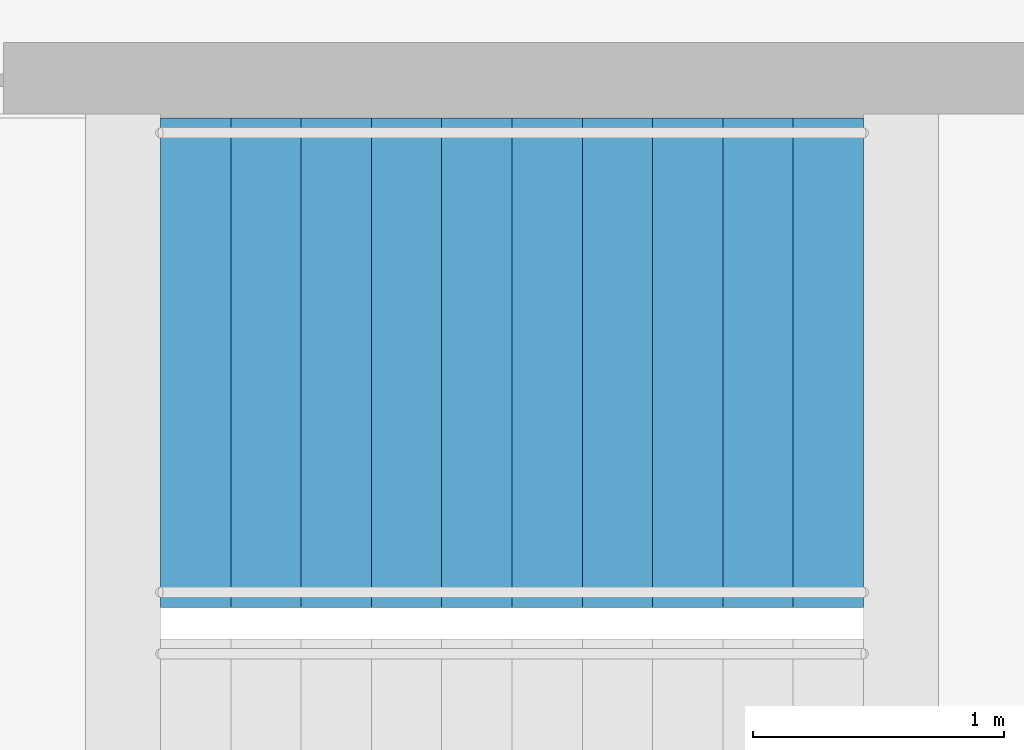
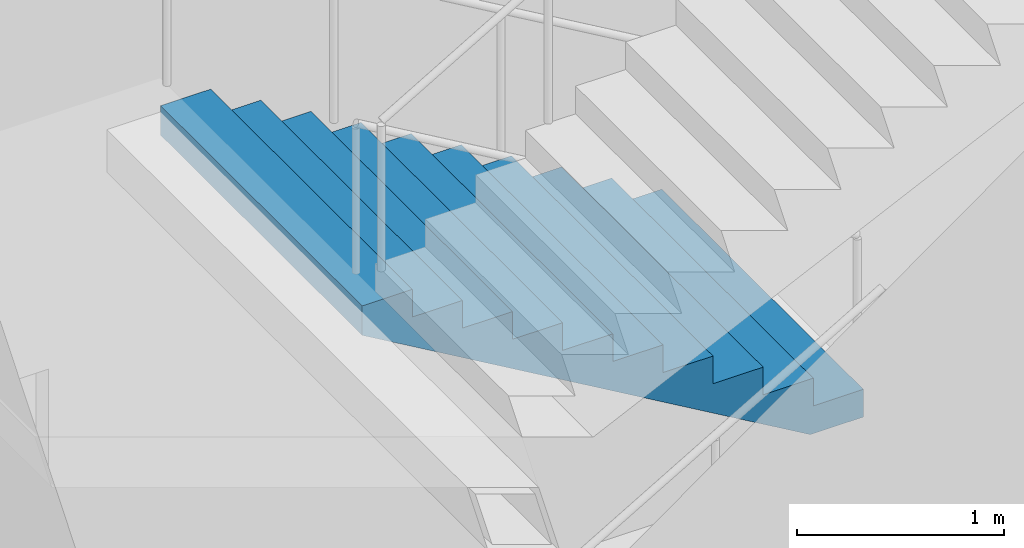
# One storey, part 16 of 22: 1 stair flight, 1 element without a shape of its own.
"""IFC4 building model written with IfcOpenShell, lengths in metres."""

import ifcopenshell
import ifcopenshell.guid

model = None  # the IFC model being written
_history = None  # IfcOwnerHistory: only IFC2X3 demands one
_inside = {}  # id of a spatial element -> (the spatial element, [elements in it])
_under = {}  # id of a project, library or spatial element -> (it, [spatial elements below it])
_declared = {}  # id of a project -> (the project, [libraries it declares])
_typed = {}  # id of a type object -> (the type object, [elements of that type])
_made_of = {}  # id of a material, layer set ... -> (it, [elements and type objects made of it])


def new_model(schema):
    """Start an empty IFC model of exactly this schema.

    Asked for "IFC4X3", IfcOpenShell would pick the latest addendum, in which some entities
    have other attributes; the version numbers below select the first issue.
    IFC2X3 requires an IfcOwnerHistory on every rooted entity: one is made here for all.
    """
    global model, _history
    if schema == "IFC4X3":
        model = ifcopenshell.file(schema_version=(4, 3, 0, 0))
    else:
        model = ifcopenshell.file(schema=schema)
    _inside.clear()
    _under.clear()
    _declared.clear()
    _typed.clear()
    _made_of.clear()
    _history = None
    if model.schema == "IFC2X3":
        org = make("IfcOrganization", Name="unknown")
        user = make(
            "IfcPersonAndOrganization",
            ThePerson=make("IfcPerson", FamilyName="unknown"),
            TheOrganization=org,
        )
        app = make(
            "IfcApplication",
            ApplicationDeveloper=org,
            Version="unknown",
            ApplicationFullName="unknown",
            ApplicationIdentifier="unknown",
        )
        _history = make(
            "IfcOwnerHistory",
            OwningUser=user,
            OwningApplication=app,
            ChangeAction="ADDED",
            CreationDate=0,
        )
    return model


def make(cls, **values):
    """One entity of the class cls with the attributes given. An attribute that is None is left unset."""
    return model.create_entity(
        cls, **{name: value for name, value in values.items() if value is not None}
    )


def rooted(cls, **values):
    """An entity with a GlobalId (a new one), such as an element, a storey or a relation."""
    return make(cls, GlobalId=ifcopenshell.guid.new(), OwnerHistory=_history, **values)


def si_unit(unit_type, name, prefix=None):
    """IfcSIUnit, for example si_unit("LENGTHUNIT", "METRE", prefix="MILLI")."""
    return make("IfcSIUnit", UnitType=unit_type, Prefix=prefix, Name=name)


def assignment(units):
    """IfcUnitAssignment: the units of a project."""
    return None if units is None else make("IfcUnitAssignment", Units=units)


def point(xyz):
    """IfcCartesianPoint."""
    return None if xyz is None else make("IfcCartesianPoint", Coordinates=xyz)


def direction(xyz):
    """IfcDirection."""
    return None if xyz is None else make("IfcDirection", DirectionRatios=xyz)


def frame(location, z_axis=None, x_axis=None):
    """IfcAxis2Placement3D, a coordinate frame: its origin and axes. An axis left out is left unset."""
    return make(
        "IfcAxis2Placement3D",
        Location=point(location),
        Axis=direction(z_axis),
        RefDirection=direction(x_axis),
    )


def origin():
    """The frame at (0, 0, 0) with its axes left unset."""
    return frame((0.0, 0.0, 0.0))


def place(relative_to, where):
    """IfcLocalPlacement: puts the frame where relative to a parent placement (None: the world)."""
    return make(
        "IfcLocalPlacement", PlacementRelTo=relative_to, RelativePlacement=where
    )


def context(
    kind, dimensions, precision=None, world=None, true_north=None, identifier=None
):
    """IfcGeometricRepresentationContext, for example the 3D "Model" context."""
    return make(
        "IfcGeometricRepresentationContext",
        ContextIdentifier=identifier,
        ContextType=kind,
        CoordinateSpaceDimension=dimensions,
        Precision=precision,
        WorldCoordinateSystem=world,
        TrueNorth=true_north,
    )


def subcontext(parent, identifier, kind, view, scale=None):
    """IfcGeometricRepresentationSubContext, for example "Body" below "Model"."""
    return make(
        "IfcGeometricRepresentationSubContext",
        ContextIdentifier=identifier,
        ContextType=kind,
        ParentContext=parent,
        TargetScale=scale,
        TargetView=view,
    )


def project(units=None, contexts=None):
    """IfcProject with its units and contexts."""
    return rooted(
        "IfcProject",
        Name="project",
        RepresentationContexts=contexts,
        UnitsInContext=assignment(units),
    )


def spatial(cls, under=None, at=None, **own):
    """A site, building, storey or space (cls), placed at a placement, below another one or the project."""
    s = rooted(cls, ObjectPlacement=at, **own)
    if under is not None:
        _under.setdefault(under.id(), (under, []))[1].append(s)
    return s


def point_list(points):
    """IfcCartesianPointList2D or 3D."""
    cls = (
        "IfcCartesianPointList2D" if len(points[0]) == 2 else "IfcCartesianPointList3D"
    )
    return make(cls, CoordList=points)


def triangles(points, corners, closed=None, point_numbers=None):
    """IfcTriangulatedFaceSet: each triangle names its three corners, points numbered from 1."""
    return make(
        "IfcTriangulatedFaceSet",
        Coordinates=point_list(points),
        Closed=closed,
        CoordIndex=corners,
        PnIndex=point_numbers,
    )


def shape(context_of_items, identifier, shape_type, items):
    """IfcShapeRepresentation: the items that make up one representation, for example the "Body"."""
    return make(
        "IfcShapeRepresentation",
        ContextOfItems=context_of_items,
        RepresentationIdentifier=identifier,
        RepresentationType=shape_type,
        Items=items,
    )


def material(Name=None, Category=None):
    """IfcMaterial."""
    return make("IfcMaterial", Name=Name, Category=Category)


def made_of(thing, what):
    """Note that an element or type object is made of a material, layer set ...; save() writes the relation."""
    if what is not None:
        _made_of.setdefault(what.id(), (what, []))[1].append(thing)
    return thing


def type_object(cls, material=None, **own):
    """A type object (cls), such as IfcWallType, which elements share."""
    return made_of(rooted(cls, **own), material)


def element(
    cls,
    number,
    at=None,
    inside=None,
    cuts=None,
    type_object=None,
    material=None,
    context=None,
    identifier="Body",
    shape_type=None,
    held_by="IfcProductDefinitionShape",
    body=None,
    shapes=None,
    **own,
):
    """One element of the class cls, such as IfcWall. Its Tag is "e" and its number.

    at: its placement. inside: the storey or other place that contains it. cuts: it is an
    opening in that element (IfcRelVoidsElement). A single representation is given by context,
    identifier, shape_type and body (its items); several are given by shapes. held_by: the class
    of the entity that holds the representations. save() writes the other relations.
    """
    e = rooted(cls, Tag="e%d" % number, ObjectPlacement=at, **own)
    if body is not None:
        shapes = [shape(context, identifier, shape_type, body)]
    if shapes is not None:
        e.Representation = make(held_by, Representations=shapes)
    if inside is not None:
        _inside.setdefault(inside.id(), (inside, []))[1].append(e)
    if cuts is not None:
        rooted(
            "IfcRelVoidsElement", RelatingBuildingElement=cuts, RelatedOpeningElement=e
        )
    if type_object is not None:
        _typed.setdefault(type_object.id(), (type_object, []))[1].append(e)
    return made_of(e, material)


def aggregate(whole, parts):
    """IfcRelAggregates: a whole, such as a stair, and the parts it consists of."""
    return rooted("IfcRelAggregates", RelatingObject=whole, RelatedObjects=parts)


def save(model, path):
    """Write the relations noted so far, then the file.

    IfcRelAggregates (storeys below a building ...), IfcRelContainedInSpatialStructure (elements
    in a storey), IfcRelDefinesByType, IfcRelAssociatesMaterial and IfcRelDeclares: one each for
    every whole, place, type object, material and project.
    """
    for whole, parts in _under.values():
        aggregate(whole, parts)
    for where, things in _inside.values():
        rooted(
            "IfcRelContainedInSpatialStructure",
            RelatedElements=things,
            RelatingStructure=where,
        )
    for kind, things in _typed.values():
        rooted("IfcRelDefinesByType", RelatedObjects=things, RelatingType=kind)
    for what, things in _made_of.values():
        rooted("IfcRelAssociatesMaterial", RelatedObjects=things, RelatingMaterial=what)
    for by, libraries in _declared.values():
        rooted("IfcRelDeclares", RelatingContext=by, RelatedDefinitions=libraries)
    model.write(path)


model = new_model("IFC4")

# Units and contexts
model_context = context("Model", 3, precision=1e-05, world=origin(), true_north=direction((0.0, 1.0)))
body_context = subcontext(model_context, "Body", "Model", "MODEL_VIEW")
ifc_project = project(units=[si_unit("LENGTHUNIT", "METRE"), si_unit("AREAUNIT", "SQUARE_METRE"), si_unit("VOLUMEUNIT", "CUBIC_METRE"), si_unit("PLANEANGLEUNIT", "RADIAN"), si_unit("MASSUNIT", "GRAM", prefix="KILO")], contexts=[model_context])

# Site, building, storey
site_placement = place(None, origin())
site = spatial("IfcSite", under=ifc_project, at=site_placement, CompositionType="ELEMENT")
building_placement = place(site_placement, origin())
building = spatial("IfcBuilding", under=site, at=building_placement, Name="Orbita Commons", CompositionType="ELEMENT")
storey_placement = place(building_placement, frame((0.0, 0.0, 201.10009765625)))
storey = spatial("IfcBuildingStorey", under=building, at=storey_placement, Name="L50", CompositionType="ELEMENT", Elevation=201.10009765625)

# Stair, stair flight
ifc_material_1 = material(Name="Precast concrete C40/50", Category="concrete")
stair_type = type_object("IfcStairType", Name="Exit stair S1 4 flights 11 risers 164", PredefinedType="HALF_TURN_STAIR", material=ifc_material_1)
stair_placement = place(storey_placement, origin())
stair = element("IfcStair", 1, at=stair_placement, inside=storey, type_object=stair_type, Name="Exit stair S1 L50", PredefinedType="HALF_TURN_STAIR")
ifc_material_2 = material(Name="Precast concrete C40/50", Category="concrete")
stair_flight_type = type_object("IfcStairFlightType", Name="Stair flight 11 risers 164 x 280", PredefinedType="STRAIGHT", material=ifc_material_2)
stair_flight_placement = place(storey_placement, frame((23.25, 29.27490234375, 1.7998046875), z_axis=(0.0, 0.0, 1.0), x_axis=(-1.0, 0.0, 0.0)))
stair_flight = element("IfcStairFlight", 2, at=stair_flight_placement, type_object=stair_flight_type, Name="S1 flight 2", NumberOfRisers=11, NumberOfTreads=10, PredefinedType="STRAIGHT", RiserHeight=0.163636364, TreadLength=0.28, context=body_context, shape_type="Tessellation", body=[
    triangles([(0.0, 0.974976, 0.0), (0.0, 0.974976, 0.020455), (0.0, 0.81248, 0.020455), (0.0, 0.81248, 0.0), (0.0, 0.649984, 0.020455), (0.0, 0.649984, 0.0), (0.0, 0.487488, 0.020455), (0.0, 0.487488, 0.0), (0.0, 0.324992, 0.020455), (0.0, 0.324992, 0.0), (0.0, 0.162496, 0.020455), (0.0, 0.162496, 0.0), (0.0, 0.0, 0.020455), (0.0, 0.0, 0.0), (0.0, -0.162496, 0.020455), (0.0, -0.162496, 0.0), (0.0, -0.324992, 0.020455), (0.0, -0.324992, 0.0), (0.0, -0.487488, 0.020455), (0.0, -0.487488, 0.0), (0.0, -0.649984, 0.020455), (0.0, -0.649984, 0.0), (0.0, -0.81248, 0.020455), (0.0, -0.81248, 0.0), (0.0, -0.974976, 0.020455), (0.0, -0.974976, 0.0), (0.0, 0.974976, 0.040909), (0.0, 0.81248, 0.040909), (0.0, 0.649984, 0.040909), (0.0, 0.487488, 0.040909), (0.0, 0.324992, 0.040909), (0.0, 0.162496, 0.040909), (0.0, 0.0, 0.040909), (0.0, -0.162496, 0.040909), (0.0, -0.324992, 0.040909), (0.0, -0.487488, 0.040909), (0.0, -0.649984, 0.040909), (0.0, -0.81248, 0.040909), (0.0, -0.974976, 0.040909), (0.0, 0.974976, 0.061364), (0.0, 0.81248, 0.061364), (0.0, 0.649984, 0.061364), (0.0, 0.487488, 0.061364), (0.0, 0.324992, 0.061364), (0.0, 0.162496, 0.061364), (0.0, 0.0, 0.061364), (0.0, -0.162496, 0.061364), (0.0, -0.324992, 0.061364), (0.0, -0.487488, 0.061364), (0.0, -0.649984, 0.061364), (0.0, -0.81248, 0.061364), (0.0, -0.974976, 0.061364), (0.0, 0.974976, 0.081818), (0.0, 0.81248, 0.081818), (0.0, 0.649984, 0.081818), (0.0, 0.487488, 0.081818), (0.0, 0.324992, 0.081818), (0.0, 0.162496, 0.081818), (0.0, 0.0, 0.081818), (0.0, -0.162496, 0.081818), (0.0, -0.324992, 0.081818), (0.0, -0.487488, 0.081818), (0.0, -0.649984, 0.081818), (0.0, -0.81248, 0.081818), (0.0, -0.974976, 0.081818), (0.0, 0.974976, 0.102273), (0.0, 0.81248, 0.102273), (0.0, 0.649984, 0.102273), (0.0, 0.487488, 0.102273), (0.0, 0.324992, 0.102273), (0.0, 0.162496, 0.102273), (0.0, 0.0, 0.102273), (0.0, -0.162496, 0.102273), (0.0, -0.324992, 0.102273), (0.0, -0.487488, 0.102273), (0.0, -0.649984, 0.102273), (0.0, -0.81248, 0.102273), (0.0, -0.974976, 0.102273), (0.0, 0.974976, 0.122727), (0.0, 0.81248, 0.122727), (0.0, 0.649984, 0.122727), (0.0, 0.487488, 0.122727), (0.0, 0.324992, 0.122727), (0.0, 0.162496, 0.122727), (0.0, 0.0, 0.122727), (0.0, -0.162496, 0.122727), (0.0, -0.324992, 0.122727), (0.0, -0.487488, 0.122727), (0.0, -0.649984, 0.122727), (0.0, -0.81248, 0.122727), (0.0, -0.974976, 0.122727), (0.0, 0.974976, 0.143182), (0.0, 0.81248, 0.143182), (0.0, 0.649984, 0.143182), (0.0, 0.487488, 0.143182), (0.0, 0.324992, 0.143182), (0.0, 0.162496, 0.143182), (0.0, 0.0, 0.143182), (0.0, -0.162496, 0.143182), (0.0, -0.324992, 0.143182), (0.0, -0.487488, 0.143182), (0.0, -0.649984, 0.143182), (0.0, -0.81248, 0.143182), (0.0, -0.974976, 0.143182), (0.0, 0.974976, 0.163636), (0.0, 0.81248, 0.163636), (0.0, 0.649984, 0.163636), (0.0, 0.487488, 0.163636), (0.0, 0.324992, 0.163636), (0.0, 0.162496, 0.163636), (0.0, 0.0, 0.163636), (0.0, -0.162496, 0.163636), (0.0, -0.324992, 0.163636), (0.0, -0.487488, 0.163636), (0.0, -0.649984, 0.163636), (0.0, -0.81248, 0.163636), (0.0, -0.974976, 0.163636), (0.28, 0.974976, 0.163636), (0.28, 0.81248, 0.163636), (0.28, 0.649984, 0.163636), (0.28, 0.487488, 0.163636), (0.28, 0.324992, 0.163636), (0.28, 0.162496, 0.163636), (0.28, 0.0, 0.163636), (0.28, -0.162496, 0.163636), (0.28, -0.324992, 0.163636), (0.28, -0.487488, 0.163636), (0.28, -0.649984, 0.163636), (0.28, -0.81248, 0.163636), (0.28, -0.974976, 0.163636), (0.28, 0.974976, 0.327273), (0.28, 0.81248, 0.327273), (0.28, 0.649984, 0.327273), (0.28, 0.487488, 0.327273), (0.28, 0.324992, 0.327273), (0.28, 0.162496, 0.327273), (0.28, 0.0, 0.327273), (0.28, -0.162496, 0.327273), (0.28, -0.324992, 0.327273), (0.28, -0.487488, 0.327273), (0.28, -0.649984, 0.327273), (0.28, -0.81248, 0.327273), (0.28, -0.974976, 0.327273), (0.56, 0.974976, 0.327273), (0.56, 0.81248, 0.327273), (0.56, 0.649984, 0.327273), (0.56, 0.487488, 0.327273), (0.56, 0.324992, 0.327273), (0.56, 0.162496, 0.327273), (0.56, 0.0, 0.327273), (0.56, -0.162496, 0.327273), (0.56, -0.324992, 0.327273), (0.56, -0.487488, 0.327273), (0.56, -0.649984, 0.327273), (0.56, -0.81248, 0.327273), (0.56, -0.974976, 0.327273), (0.56, 0.974976, 0.490909), (0.56, 0.81248, 0.490909), (0.56, 0.649984, 0.490909), (0.56, 0.487488, 0.490909), (0.56, 0.324992, 0.490909), (0.56, 0.162496, 0.490909), (0.56, 0.0, 0.490909), (0.56, -0.162496, 0.490909), (0.56, -0.324992, 0.490909), (0.56, -0.487488, 0.490909), (0.56, -0.649984, 0.490909), (0.56, -0.81248, 0.490909), (0.56, -0.974976, 0.490909), (0.84, 0.974976, 0.490909), (0.84, 0.81248, 0.490909), (0.84, 0.649984, 0.490909), (0.84, 0.487488, 0.490909), (0.84, 0.324992, 0.490909), (0.84, 0.162496, 0.490909), (0.84, 0.0, 0.490909), (0.84, -0.162496, 0.490909), (0.84, -0.324992, 0.490909), (0.84, -0.487488, 0.490909), (0.84, -0.649984, 0.490909), (0.84, -0.81248, 0.490909), (0.84, -0.974976, 0.490909), (0.84, 0.974976, 0.654545), (0.84, 0.81248, 0.654545), (0.84, 0.649984, 0.654545), (0.84, 0.487488, 0.654545), (0.84, 0.324992, 0.654545), (0.84, 0.162496, 0.654545), (0.84, 0.0, 0.654545), (0.84, -0.162496, 0.654545), (0.84, -0.324992, 0.654545), (0.84, -0.487488, 0.654545), (0.84, -0.649984, 0.654545), (0.84, -0.81248, 0.654545), (0.84, -0.974976, 0.654545), (1.12, 0.974976, 0.654545), (1.12, 0.81248, 0.654545), (1.12, 0.649984, 0.654545), (1.12, 0.487488, 0.654545), (1.12, 0.324992, 0.654545), (1.12, 0.162496, 0.654545), (1.12, 0.0, 0.654545), (1.12, -0.162496, 0.654545), (1.12, -0.324992, 0.654545), (1.12, -0.487488, 0.654545), (1.12, -0.649984, 0.654545), (1.12, -0.81248, 0.654545), (1.12, -0.974976, 0.654545), (1.12, 0.974976, 0.818182), (1.12, 0.81248, 0.818182), (1.12, 0.649984, 0.818182), (1.12, 0.487488, 0.818182), (1.12, 0.324992, 0.818182), (1.12, 0.162496, 0.818182), (1.12, 0.0, 0.818182), (1.12, -0.162496, 0.818182), (1.12, -0.324992, 0.818182), (1.12, -0.487488, 0.818182), (1.12, -0.649984, 0.818182), (1.12, -0.81248, 0.818182), (1.12, -0.974976, 0.818182), (1.4, 0.974976, 0.818182), (1.4, 0.81248, 0.818182), (1.4, 0.649984, 0.818182), (1.4, 0.487488, 0.818182), (1.4, 0.324992, 0.818182), (1.4, 0.162496, 0.818182), (1.4, 0.0, 0.818182), (1.4, -0.162496, 0.818182), (1.4, -0.324992, 0.818182), (1.4, -0.487488, 0.818182), (1.4, -0.649984, 0.818182), (1.4, -0.81248, 0.818182), (1.4, -0.974976, 0.818182), (1.4, 0.974976, 0.981818), (1.4, 0.81248, 0.981818), (1.4, 0.649984, 0.981818), (1.4, 0.487488, 0.981818), (1.4, 0.324992, 0.981818), (1.4, 0.162496, 0.981818), (1.4, 0.0, 0.981818), (1.4, -0.162496, 0.981818), (1.4, -0.324992, 0.981818), (1.4, -0.487488, 0.981818), (1.4, -0.649984, 0.981818), (1.4, -0.81248, 0.981818), (1.4, -0.974976, 0.981818), (1.68, 0.974976, 0.981818), (1.68, 0.81248, 0.981818), (1.68, 0.649984, 0.981818), (1.68, 0.487488, 0.981818), (1.68, 0.324992, 0.981818), (1.68, 0.162496, 0.981818), (1.68, 0.0, 0.981818), (1.68, -0.162496, 0.981818), (1.68, -0.324992, 0.981818), (1.68, -0.487488, 0.981818), (1.68, -0.649984, 0.981818), (1.68, -0.81248, 0.981818), (1.68, -0.974976, 0.981818), (1.68, 0.974976, 1.145455), (1.68, 0.81248, 1.145455), (1.68, 0.649984, 1.145455), (1.68, 0.487488, 1.145455), (1.68, 0.324992, 1.145455), (1.68, 0.162496, 1.145455), (1.68, 0.0, 1.145455), (1.68, -0.162496, 1.145455), (1.68, -0.324992, 1.145455), (1.68, -0.487488, 1.145455), (1.68, -0.649984, 1.145455), (1.68, -0.81248, 1.145455), (1.68, -0.974976, 1.145455), (1.96, 0.974976, 1.145455), (1.96, 0.81248, 1.145455), (1.96, 0.649984, 1.145455), (1.96, 0.487488, 1.145455), (1.96, 0.324992, 1.145455), (1.96, 0.162496, 1.145455), (1.96, 0.0, 1.145455), (1.96, -0.162496, 1.145455), (1.96, -0.324992, 1.145455), (1.96, -0.487488, 1.145455), (1.96, -0.649984, 1.145455), (1.96, -0.81248, 1.145455), (1.96, -0.974976, 1.145455), (1.96, 0.974976, 1.309091), (1.96, 0.81248, 1.309091), (1.96, 0.649984, 1.309091), (1.96, 0.487488, 1.309091), (1.96, 0.324992, 1.309091), (1.96, 0.162496, 1.309091), (1.96, 0.0, 1.309091), (1.96, -0.162496, 1.309091), (1.96, -0.324992, 1.309091), (1.96, -0.487488, 1.309091), (1.96, -0.649984, 1.309091), (1.96, -0.81248, 1.309091), (1.96, -0.974976, 1.309091), (2.24, 0.974976, 1.309091), (2.24, 0.81248, 1.309091), (2.24, 0.649984, 1.309091), (2.24, 0.487488, 1.309091), (2.24, 0.324992, 1.309091), (2.24, 0.162496, 1.309091), (2.24, 0.0, 1.309091), (2.24, -0.162496, 1.309091), (2.24, -0.324992, 1.309091), (2.24, -0.487488, 1.309091), (2.24, -0.649984, 1.309091), (2.24, -0.81248, 1.309091), (2.24, -0.974976, 1.309091), (2.24, 0.974976, 1.472727), (2.24, 0.81248, 1.472727), (2.24, 0.649984, 1.472727), (2.24, 0.487488, 1.472727), (2.24, 0.324992, 1.472727), (2.24, 0.162496, 1.472727), (2.24, 0.0, 1.472727), (2.24, -0.162496, 1.472727), (2.24, -0.324992, 1.472727), (2.24, -0.487488, 1.472727), (2.24, -0.649984, 1.472727), (2.24, -0.81248, 1.472727), (2.24, -0.974976, 1.472727), (2.52, 0.974976, 1.472727), (2.52, 0.81248, 1.472727), (2.52, 0.649984, 1.472727), (2.52, 0.487488, 1.472727), (2.52, 0.324992, 1.472727), (2.52, 0.162496, 1.472727), (2.52, 0.0, 1.472727), (2.52, -0.162496, 1.472727), (2.52, -0.324992, 1.472727), (2.52, -0.487488, 1.472727), (2.52, -0.649984, 1.472727), (2.52, -0.81248, 1.472727), (2.52, -0.974976, 1.472727), (2.52, 0.974976, 1.636364), (2.52, 0.81248, 1.636364), (2.52, 0.649984, 1.636364), (2.52, 0.487488, 1.636364), (2.52, 0.324992, 1.636364), (2.52, 0.162496, 1.636364), (2.52, 0.0, 1.636364), (2.52, -0.162496, 1.636364), (2.52, -0.324992, 1.636364), (2.52, -0.487488, 1.636364), (2.52, -0.649984, 1.636364), (2.52, -0.81248, 1.636364), (2.52, -0.974976, 1.636364), (2.8, 0.974976, 1.636364), (2.8, 0.81248, 1.636364), (2.8, 0.649984, 1.636364), (2.8, 0.487488, 1.636364), (2.8, 0.324992, 1.636364), (2.8, 0.162496, 1.636364), (2.8, 0.0, 1.636364), (2.8, -0.162496, 1.636364), (2.8, -0.324992, 1.636364), (2.8, -0.487488, 1.636364), (2.8, -0.649984, 1.636364), (2.8, -0.81248, 1.636364), (2.8, -0.974976, 1.636364), (2.8, 0.974976, 1.614661), (2.8, 0.81248, 1.614661), (2.8, 0.649984, 1.614661), (2.8, 0.487488, 1.614661), (2.8, 0.324992, 1.614661), (2.8, 0.162496, 1.614661), (2.8, 0.0, 1.614661), (2.8, -0.162496, 1.614661), (2.8, -0.324992, 1.614661), (2.8, -0.487488, 1.614661), (2.8, -0.649984, 1.614661), (2.8, -0.81248, 1.614661), (2.8, -0.974976, 1.614661), (2.8, 0.974976, 1.592958), (2.8, 0.81248, 1.592958), (2.8, 0.649984, 1.592958), (2.8, 0.487488, 1.592958), (2.8, 0.324992, 1.592958), (2.8, 0.162496, 1.592958), (2.8, 0.0, 1.592958), (2.8, -0.162496, 1.592958), (2.8, -0.324992, 1.592958), (2.8, -0.487488, 1.592958), (2.8, -0.649984, 1.592958), (2.8, -0.81248, 1.592958), (2.8, -0.974976, 1.592958), (2.8, 0.974976, 1.571255), (2.8, 0.81248, 1.571255), (2.8, 0.649984, 1.571255), (2.8, 0.487488, 1.571255), (2.8, 0.324992, 1.571255), (2.8, 0.162496, 1.571255), (2.8, 0.0, 1.571255), (2.8, -0.162496, 1.571255), (2.8, -0.324992, 1.571255), (2.8, -0.487488, 1.571255), (2.8, -0.649984, 1.571255), (2.8, -0.81248, 1.571255), (2.8, -0.974976, 1.571255), (2.8, 0.974976, 1.549551), (2.8, 0.81248, 1.549551), (2.8, 0.649984, 1.549551), (2.8, 0.487488, 1.549551), (2.8, 0.324992, 1.549551), (2.8, 0.162496, 1.549551), (2.8, 0.0, 1.549551), (2.8, -0.162496, 1.549551), (2.8, -0.324992, 1.549551), (2.8, -0.487488, 1.549551), (2.8, -0.649984, 1.549551), (2.8, -0.81248, 1.549551), (2.8, -0.974976, 1.549551), (2.8, 0.974976, 1.527848), (2.8, 0.81248, 1.527848), (2.8, 0.649984, 1.527848), (2.8, 0.487488, 1.527848), (2.8, 0.324992, 1.527848), (2.8, 0.162496, 1.527848), (2.8, 0.0, 1.527848), (2.8, -0.162496, 1.527848), (2.8, -0.324992, 1.527848), (2.8, -0.487488, 1.527848), (2.8, -0.649984, 1.527848), (2.8, -0.81248, 1.527848), (2.8, -0.974976, 1.527848), (2.8, 0.974976, 1.506145), (2.8, 0.81248, 1.506145), (2.8, 0.649984, 1.506145), (2.8, 0.487488, 1.506145), (2.8, 0.324992, 1.506145), (2.8, 0.162496, 1.506145), (2.8, 0.0, 1.506145), (2.8, -0.162496, 1.506145), (2.8, -0.324992, 1.506145), (2.8, -0.487488, 1.506145), (2.8, -0.649984, 1.506145), (2.8, -0.81248, 1.506145), (2.8, -0.974976, 1.506145), (2.8, 0.974976, 1.484442), (2.8, 0.81248, 1.484442), (2.8, 0.649984, 1.484442), (2.8, 0.487488, 1.484442), (2.8, 0.324992, 1.484442), (2.8, 0.162496, 1.484442), (2.8, 0.0, 1.484442), (2.8, -0.162496, 1.484442), (2.8, -0.324992, 1.484442), (2.8, -0.487488, 1.484442), (2.8, -0.649984, 1.484442), (2.8, -0.81248, 1.484442), (2.8, -0.974976, 1.484442), (2.8, 0.974976, 1.462739), (2.8, 0.81248, 1.462739), (2.8, 0.649984, 1.462739), (2.8, 0.487488, 1.462739), (2.8, 0.324992, 1.462739), (2.8, 0.162496, 1.462739), (2.8, 0.0, 1.462739), (2.8, -0.162496, 1.462739), (2.8, -0.324992, 1.462739), (2.8, -0.487488, 1.462739), (2.8, -0.649984, 1.462739), (2.8, -0.81248, 1.462739), (2.8, -0.974976, 1.462739), (0.29709, 0.974976, 0.0), (0.29709, 0.81248, 0.0), (0.29709, 0.649984, 0.0), (0.29709, 0.487488, 0.0), (0.29709, 0.324992, 0.0), (0.29709, 0.162496, 0.0), (0.29709, 0.0, 0.0), (0.29709, -0.162496, 0.0), (0.29709, -0.324992, 0.0), (0.29709, -0.487488, 0.0), (0.29709, -0.649984, 0.0), (0.29709, -0.81248, 0.0), (0.29709, -0.974976, 0.0)], [[3, 2, 1], [4, 3, 1], [5, 3, 4], [6, 5, 4], [7, 5, 6], [8, 7, 6], [9, 7, 8], [10, 9, 8], [11, 9, 10], [12, 11, 10], [13, 11, 12], [14, 13, 12], [15, 13, 14], [16, 15, 14], [17, 15, 16], [18, 17, 16], [19, 17, 18], [20, 19, 18], [21, 19, 20], [22, 21, 20], [23, 21, 22], [24, 23, 22], [25, 23, 24], [26, 25, 24], [28, 27, 2], [3, 28, 2], [29, 28, 3], [5, 29, 3], [30, 29, 5], [7, 30, 5], [31, 30, 7], [9, 31, 7], [32, 31, 9], [11, 32, 9], [33, 32, 11], [13, 33, 11], [34, 33, 13], [15, 34, 13], [35, 34, 15], [17, 35, 15], [36, 35, 17], [19, 36, 17], [37, 36, 19], [21, 37, 19], [38, 37, 21], [23, 38, 21], [39, 38, 23], [25, 39, 23], [41, 40, 27], [28, 41, 27], [42, 41, 28], [29, 42, 28], [43, 42, 29], [30, 43, 29], [44, 43, 30], [31, 44, 30], [45, 44, 31], [32, 45, 31], [46, 45, 32], [33, 46, 32], [47, 46, 33], [34, 47, 33], [48, 47, 34], [35, 48, 34], [49, 48, 35], [36, 49, 35], [50, 49, 36], [37, 50, 36], [51, 50, 37], [38, 51, 37], [52, 51, 38], [39, 52, 38], [54, 53, 40], [41, 54, 40], [55, 54, 41], [42, 55, 41], [56, 55, 42], [43, 56, 42], [57, 56, 43], [44, 57, 43], [58, 57, 44], [45, 58, 44], [59, 58, 45], [46, 59, 45], [60, 59, 46], [47, 60, 46], [61, 60, 47], [48, 61, 47], [62, 61, 48], [49, 62, 48], [63, 62, 49], [50, 63, 49], [64, 63, 50], [51, 64, 50], [65, 64, 51], [52, 65, 51], [67, 66, 53], [54, 67, 53], [68, 67, 54], [55, 68, 54], [69, 68, 55], [56, 69, 55], [70, 69, 56], [57, 70, 56], [71, 70, 57], [58, 71, 57], [72, 71, 58], [59, 72, 58], [73, 72, 59], [60, 73, 59], [74, 73, 60], [61, 74, 60], [75, 74, 61], [62, 75, 61], [76, 75, 62], [63, 76, 62], [77, 76, 63], [64, 77, 63], [78, 77, 64], [65, 78, 64], [80, 79, 66], [67, 80, 66], [81, 80, 67], [68, 81, 67], [82, 81, 68], [69, 82, 68], [83, 82, 69], [70, 83, 69], [84, 83, 70], [71, 84, 70], [85, 84, 71], [72, 85, 71], [86, 85, 72], [73, 86, 72], [87, 86, 73], [74, 87, 73], [88, 87, 74], [75, 88, 74], [89, 88, 75], [76, 89, 75], [90, 89, 76], [77, 90, 76], [91, 90, 77], [78, 91, 77], [93, 92, 79], [80, 93, 79], [94, 93, 80], [81, 94, 80], [95, 94, 81], [82, 95, 81], [96, 95, 82], [83, 96, 82], [97, 96, 83], [84, 97, 83], [98, 97, 84], [85, 98, 84], [99, 98, 85], [86, 99, 85], [100, 99, 86], [87, 100, 86], [101, 100, 87], [88, 101, 87], [102, 101, 88], [89, 102, 88], [103, 102, 89], [90, 103, 89], [104, 103, 90], [91, 104, 90], [106, 105, 92], [93, 106, 92], [107, 106, 93], [94, 107, 93], [108, 107, 94], [95, 108, 94], [109, 108, 95], [96, 109, 95], [110, 109, 96], [97, 110, 96], [111, 110, 97], [98, 111, 97], [112, 111, 98], [99, 112, 98], [113, 112, 99], [100, 113, 99], [114, 113, 100], [101, 114, 100], [115, 114, 101], [102, 115, 101], [116, 115, 102], [103, 116, 102], [117, 116, 103], [104, 117, 103], [119, 118, 105], [106, 119, 105], [120, 119, 106], [107, 120, 106], [121, 120, 107], [108, 121, 107], [122, 121, 108], [109, 122, 108], [123, 122, 109], [110, 123, 109], [124, 123, 110], [111, 124, 110], [125, 124, 111], [112, 125, 111], [126, 125, 112], [113, 126, 112], [127, 126, 113], [114, 127, 113], [128, 127, 114], [115, 128, 114], [129, 128, 115], [116, 129, 115], [130, 129, 116], [117, 130, 116], [132, 131, 118], [119, 132, 118], [133, 132, 119], [120, 133, 119], [134, 133, 120], [121, 134, 120], [135, 134, 121], [122, 135, 121], [136, 135, 122], [123, 136, 122], [137, 136, 123], [124, 137, 123], [138, 137, 124], [125, 138, 124], [139, 138, 125], [126, 139, 125], [140, 139, 126], [127, 140, 126], [141, 140, 127], [128, 141, 127], [142, 141, 128], [129, 142, 128], [143, 142, 129], [130, 143, 129], [145, 144, 131], [132, 145, 131], [146, 145, 132], [133, 146, 132], [147, 146, 133], [134, 147, 133], [148, 147, 134], [135, 148, 134], [149, 148, 135], [136, 149, 135], [150, 149, 136], [137, 150, 136], [151, 150, 137], [138, 151, 137], [152, 151, 138], [139, 152, 138], [153, 152, 139], [140, 153, 139], [154, 153, 140], [141, 154, 140], [155, 154, 141], [142, 155, 141], [156, 155, 142], [143, 156, 142], [158, 157, 144], [145, 158, 144], [159, 158, 145], [146, 159, 145], [160, 159, 146], [147, 160, 146], [161, 160, 147], [148, 161, 147], [162, 161, 148], [149, 162, 148], [163, 162, 149], [150, 163, 149], [164, 163, 150], [151, 164, 150], [165, 164, 151], [152, 165, 151], [166, 165, 152], [153, 166, 152], [167, 166, 153], [154, 167, 153], [168, 167, 154], [155, 168, 154], [169, 168, 155], [156, 169, 155], [171, 170, 157], [158, 171, 157], [172, 171, 158], [159, 172, 158], [173, 172, 159], [160, 173, 159], [174, 173, 160], [161, 174, 160], [175, 174, 161], [162, 175, 161], [176, 175, 162], [163, 176, 162], [177, 176, 163], [164, 177, 163], [178, 177, 164], [165, 178, 164], [179, 178, 165], [166, 179, 165], [180, 179, 166], [167, 180, 166], [181, 180, 167], [168, 181, 167], [182, 181, 168], [169, 182, 168], [184, 183, 170], [171, 184, 170], [185, 184, 171], [172, 185, 171], [186, 185, 172], [173, 186, 172], [187, 186, 173], [174, 187, 173], [188, 187, 174], [175, 188, 174], [189, 188, 175], [176, 189, 175], [190, 189, 176], [177, 190, 176], [191, 190, 177], [178, 191, 177], [192, 191, 178], [179, 192, 178], [193, 192, 179], [180, 193, 179], [194, 193, 180], [181, 194, 180], [195, 194, 181], [182, 195, 181], [197, 196, 183], [184, 197, 183], [198, 197, 184], [185, 198, 184], [199, 198, 185], [186, 199, 185], [200, 199, 186], [187, 200, 186], [201, 200, 187], [188, 201, 187], [202, 201, 188], [189, 202, 188], [203, 202, 189], [190, 203, 189], [204, 203, 190], [191, 204, 190], [205, 204, 191], [192, 205, 191], [206, 205, 192], [193, 206, 192], [207, 206, 193], [194, 207, 193], [208, 207, 194], [195, 208, 194], [210, 209, 196], [197, 210, 196], [211, 210, 197], [198, 211, 197], [212, 211, 198], [199, 212, 198], [213, 212, 199], [200, 213, 199], [214, 213, 200], [201, 214, 200], [215, 214, 201], [202, 215, 201], [216, 215, 202], [203, 216, 202], [217, 216, 203], [204, 217, 203], [218, 217, 204], [205, 218, 204], [219, 218, 205], [206, 219, 205], [220, 219, 206], [207, 220, 206], [221, 220, 207], [208, 221, 207], [223, 222, 209], [210, 223, 209], [224, 223, 210], [211, 224, 210], [225, 224, 211], [212, 225, 211], [226, 225, 212], [213, 226, 212], [227, 226, 213], [214, 227, 213], [228, 227, 214], [215, 228, 214], [229, 228, 215], [216, 229, 215], [230, 229, 216], [217, 230, 216], [231, 230, 217], [218, 231, 217], [232, 231, 218], [219, 232, 218], [233, 232, 219], [220, 233, 219], [234, 233, 220], [221, 234, 220], [236, 235, 222], [223, 236, 222], [237, 236, 223], [224, 237, 223], [238, 237, 224], [225, 238, 224], [239, 238, 225], [226, 239, 225], [240, 239, 226], [227, 240, 226], [241, 240, 227], [228, 241, 227], [242, 241, 228], [229, 242, 228], [243, 242, 229], [230, 243, 229], [244, 243, 230], [231, 244, 230], [245, 244, 231], [232, 245, 231], [246, 245, 232], [233, 246, 232], [247, 246, 233], [234, 247, 233], [249, 248, 235], [236, 249, 235], [250, 249, 236], [237, 250, 236], [251, 250, 237], [238, 251, 237], [252, 251, 238], [239, 252, 238], [253, 252, 239], [240, 253, 239], [254, 253, 240], [241, 254, 240], [255, 254, 241], [242, 255, 241], [256, 255, 242], [243, 256, 242], [257, 256, 243], [244, 257, 243], [258, 257, 244], [245, 258, 244], [259, 258, 245], [246, 259, 245], [260, 259, 246], [247, 260, 246], [262, 261, 248], [249, 262, 248], [263, 262, 249], [250, 263, 249], [264, 263, 250], [251, 264, 250], [265, 264, 251], [252, 265, 251], [266, 265, 252], [253, 266, 252], [267, 266, 253], [254, 267, 253], [268, 267, 254], [255, 268, 254], [269, 268, 255], [256, 269, 255], [270, 269, 256], [257, 270, 256], [271, 270, 257], [258, 271, 257], [272, 271, 258], [259, 272, 258], [273, 272, 259], [260, 273, 259], [275, 274, 261], [262, 275, 261], [276, 275, 262], [263, 276, 262], [277, 276, 263], [264, 277, 263], [278, 277, 264], [265, 278, 264], [279, 278, 265], [266, 279, 265], [280, 279, 266], [267, 280, 266], [281, 280, 267], [268, 281, 267], [282, 281, 268], [269, 282, 268], [283, 282, 269], [270, 283, 269], [284, 283, 270], [271, 284, 270], [285, 284, 271], [272, 285, 271], [286, 285, 272], [273, 286, 272], [288, 287, 274], [275, 288, 274], [289, 288, 275], [276, 289, 275], [290, 289, 276], [277, 290, 276], [291, 290, 277], [278, 291, 277], [292, 291, 278], [279, 292, 278], [293, 292, 279], [280, 293, 279], [294, 293, 280], [281, 294, 280], [295, 294, 281], [282, 295, 281], [296, 295, 282], [283, 296, 282], [297, 296, 283], [284, 297, 283], [298, 297, 284], [285, 298, 284], [299, 298, 285], [286, 299, 285], [301, 300, 287], [288, 301, 287], [302, 301, 288], [289, 302, 288], [303, 302, 289], [290, 303, 289], [304, 303, 290], [291, 304, 290], [305, 304, 291], [292, 305, 291], [306, 305, 292], [293, 306, 292], [307, 306, 293], [294, 307, 293], [308, 307, 294], [295, 308, 294], [309, 308, 295], [296, 309, 295], [310, 309, 296], [297, 310, 296], [311, 310, 297], [298, 311, 297], [312, 311, 298], [299, 312, 298], [314, 313, 300], [301, 314, 300], [315, 314, 301], [302, 315, 301], [316, 315, 302], [303, 316, 302], [317, 316, 303], [304, 317, 303], [318, 317, 304], [305, 318, 304], [319, 318, 305], [306, 319, 305], [320, 319, 306], [307, 320, 306], [321, 320, 307], [308, 321, 307], [322, 321, 308], [309, 322, 308], [323, 322, 309], [310, 323, 309], [324, 323, 310], [311, 324, 310], [325, 324, 311], [312, 325, 311], [327, 326, 313], [314, 327, 313], [328, 327, 314], [315, 328, 314], [329, 328, 315], [316, 329, 315], [330, 329, 316], [317, 330, 316], [331, 330, 317], [318, 331, 317], [332, 331, 318], [319, 332, 318], [333, 332, 319], [320, 333, 319], [334, 333, 320], [321, 334, 320], [335, 334, 321], [322, 335, 321], [336, 335, 322], [323, 336, 322], [337, 336, 323], [324, 337, 323], [338, 337, 324], [325, 338, 324], [340, 339, 326], [327, 340, 326], [341, 340, 327], [328, 341, 327], [342, 341, 328], [329, 342, 328], [343, 342, 329], [330, 343, 329], [344, 343, 330], [331, 344, 330], [345, 344, 331], [332, 345, 331], [346, 345, 332], [333, 346, 332], [347, 346, 333], [334, 347, 333], [348, 347, 334], [335, 348, 334], [349, 348, 335], [336, 349, 335], [350, 349, 336], [337, 350, 336], [351, 350, 337], [338, 351, 337], [353, 352, 339], [340, 353, 339], [354, 353, 340], [341, 354, 340], [355, 354, 341], [342, 355, 341], [356, 355, 342], [343, 356, 342], [357, 356, 343], [344, 357, 343], [358, 357, 344], [345, 358, 344], [359, 358, 345], [346, 359, 345], [360, 359, 346], [347, 360, 346], [361, 360, 347], [348, 361, 347], [362, 361, 348], [349, 362, 348], [363, 362, 349], [350, 363, 349], [364, 363, 350], [351, 364, 350], [366, 365, 352], [353, 366, 352], [367, 366, 353], [354, 367, 353], [368, 367, 354], [355, 368, 354], [369, 368, 355], [356, 369, 355], [370, 369, 356], [357, 370, 356], [371, 370, 357], [358, 371, 357], [372, 371, 358], [359, 372, 358], [373, 372, 359], [360, 373, 359], [374, 373, 360], [361, 374, 360], [375, 374, 361], [362, 375, 361], [376, 375, 362], [363, 376, 362], [377, 376, 363], [364, 377, 363], [379, 378, 365], [366, 379, 365], [380, 379, 366], [367, 380, 366], [381, 380, 367], [368, 381, 367], [382, 381, 368], [369, 382, 368], [383, 382, 369], [370, 383, 369], [384, 383, 370], [371, 384, 370], [385, 384, 371], [372, 385, 371], [386, 385, 372], [373, 386, 372], [387, 386, 373], [374, 387, 373], [388, 387, 374], [375, 388, 374], [389, 388, 375], [376, 389, 375], [390, 389, 376], [377, 390, 376], [392, 391, 378], [379, 392, 378], [393, 392, 379], [380, 393, 379], [394, 393, 380], [381, 394, 380], [395, 394, 381], [382, 395, 381], [396, 395, 382], [383, 396, 382], [397, 396, 383], [384, 397, 383], [398, 397, 384], [385, 398, 384], [399, 398, 385], [386, 399, 385], [400, 399, 386], [387, 400, 386], [401, 400, 387], [388, 401, 387], [402, 401, 388], [389, 402, 388], [403, 402, 389], [390, 403, 389], [405, 404, 391], [392, 405, 391], [406, 405, 392], [393, 406, 392], [407, 406, 393], [394, 407, 393], [408, 407, 394], [395, 408, 394], [409, 408, 395], [396, 409, 395], [410, 409, 396], [397, 410, 396], [411, 410, 397], [398, 411, 397], [412, 411, 398], [399, 412, 398], [413, 412, 399], [400, 413, 399], [414, 413, 400], [401, 414, 400], [415, 414, 401], [402, 415, 401], [416, 415, 402], [403, 416, 402], [418, 417, 404], [405, 418, 404], [419, 418, 405], [406, 419, 405], [420, 419, 406], [407, 420, 406], [421, 420, 407], [408, 421, 407], [422, 421, 408], [409, 422, 408], [423, 422, 409], [410, 423, 409], [424, 423, 410], [411, 424, 410], [425, 424, 411], [412, 425, 411], [426, 425, 412], [413, 426, 412], [427, 426, 413], [414, 427, 413], [428, 427, 414], [415, 428, 414], [429, 428, 415], [416, 429, 415], [431, 430, 417], [418, 431, 417], [432, 431, 418], [419, 432, 418], [433, 432, 419], [420, 433, 419], [434, 433, 420], [421, 434, 420], [435, 434, 421], [422, 435, 421], [436, 435, 422], [423, 436, 422], [437, 436, 423], [424, 437, 423], [438, 437, 424], [425, 438, 424], [439, 438, 425], [426, 439, 425], [440, 439, 426], [427, 440, 426], [441, 440, 427], [428, 441, 427], [442, 441, 428], [429, 442, 428], [444, 443, 430], [431, 444, 430], [445, 444, 431], [432, 445, 431], [446, 445, 432], [433, 446, 432], [447, 446, 433], [434, 447, 433], [448, 447, 434], [435, 448, 434], [449, 448, 435], [436, 449, 435], [450, 449, 436], [437, 450, 436], [451, 450, 437], [438, 451, 437], [452, 451, 438], [439, 452, 438], [453, 452, 439], [440, 453, 439], [454, 453, 440], [441, 454, 440], [455, 454, 441], [442, 455, 441], [457, 456, 443], [444, 457, 443], [458, 457, 444], [445, 458, 444], [459, 458, 445], [446, 459, 445], [460, 459, 446], [447, 460, 446], [461, 460, 447], [448, 461, 447], [462, 461, 448], [449, 462, 448], [463, 462, 449], [450, 463, 449], [464, 463, 450], [451, 464, 450], [465, 464, 451], [452, 465, 451], [466, 465, 452], [453, 466, 452], [467, 466, 453], [454, 467, 453], [468, 467, 454], [455, 468, 454], [470, 469, 456], [457, 470, 456], [471, 470, 457], [458, 471, 457], [472, 471, 458], [459, 472, 458], [473, 472, 459], [460, 473, 459], [474, 473, 460], [461, 474, 460], [475, 474, 461], [462, 475, 461], [476, 475, 462], [463, 476, 462], [477, 476, 463], [464, 477, 463], [478, 477, 464], [465, 478, 464], [479, 478, 465], [466, 479, 465], [480, 479, 466], [467, 480, 466], [481, 480, 467], [468, 481, 467], [4, 1, 469], [470, 4, 469], [6, 4, 470], [471, 6, 470], [8, 6, 471], [472, 8, 471], [10, 8, 472], [473, 10, 472], [12, 10, 473], [474, 12, 473], [14, 12, 474], [475, 14, 474], [16, 14, 475], [476, 16, 475], [18, 16, 476], [477, 18, 476], [20, 18, 477], [478, 20, 477], [22, 20, 478], [479, 22, 478], [24, 22, 479], [480, 24, 479], [26, 24, 480], [481, 26, 480], [456, 469, 1], [26, 481, 468], [443, 456, 1], [26, 468, 455], [430, 443, 1], [26, 455, 442], [417, 430, 1], [26, 442, 429], [404, 417, 1], [26, 429, 416], [391, 404, 1], [26, 416, 403], [378, 391, 1], [26, 403, 390], [365, 378, 1], [26, 390, 377], [339, 352, 365], [377, 364, 351], [326, 339, 365], [377, 351, 338], [300, 313, 326], [338, 325, 312], [300, 326, 365], [377, 338, 312], [274, 287, 300], [312, 299, 286], [274, 300, 365], [377, 312, 286], [248, 261, 274], [286, 273, 260], [248, 274, 365], [377, 286, 260], [222, 235, 248], [260, 247, 234], [222, 248, 365], [377, 260, 234], [196, 209, 222], [234, 221, 208], [196, 222, 365], [377, 234, 208], [170, 183, 196], [208, 195, 182], [170, 196, 365], [377, 208, 182], [144, 157, 170], [182, 169, 156], [144, 170, 365], [377, 182, 156], [118, 131, 144], [156, 143, 130], [118, 144, 365], [377, 156, 130], [118, 365, 1], [26, 377, 130], [92, 105, 118], [130, 117, 104], [79, 92, 118], [130, 104, 91], [66, 79, 118], [130, 91, 78], [53, 66, 118], [130, 78, 65], [40, 53, 118], [130, 65, 52], [27, 40, 118], [130, 52, 39], [2, 27, 118], [130, 39, 25], [1, 2, 118], [130, 25, 26]], closed=True),
])
aggregate(stair, [stair_flight])

save(model, "model.ifc")
